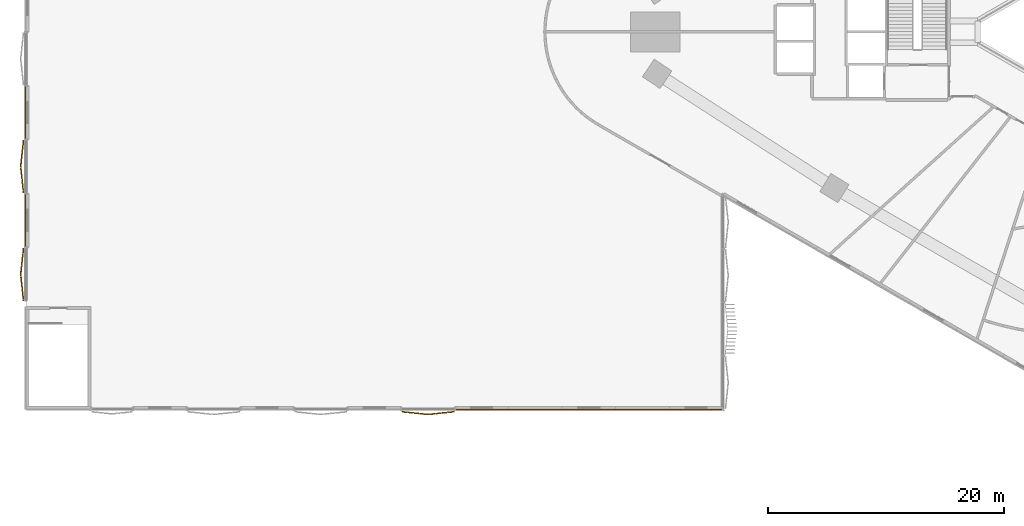
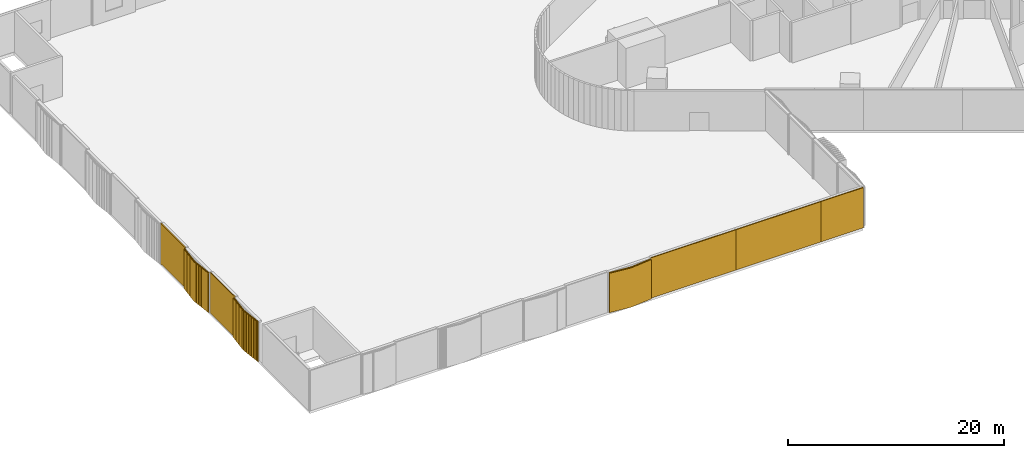
# One storey, part 19 of 24: 8 coverings.
"""IFC4 building model written with IfcOpenShell, lengths in metres."""

from ifc_helpers import new_model, si_unit, direction, frame, frame_2d, origin, origin_2d, place, context, subcontext, project, spatial, rectangle, extrude, source, transform, mapped, material, layer, layer_set, type_object, element, save


model = new_model("IFC4")

# Units and contexts
model_context = context("Model", 3, precision=1e-05, world=origin(), true_north=direction((0.0, 1.0)))
body_context = subcontext(model_context, "Body", "Model", "MODEL_VIEW")
ifc_project = project(units=[si_unit("LENGTHUNIT", "METRE"), si_unit("AREAUNIT", "SQUARE_METRE"), si_unit("VOLUMEUNIT", "CUBIC_METRE"), si_unit("PLANEANGLEUNIT", "RADIAN"), si_unit("MASSUNIT", "GRAM", prefix="KILO")], contexts=[model_context])

# Site, building, storey
site_placement = place(None, origin())
site = spatial("IfcSite", under=ifc_project, at=site_placement, CompositionType="ELEMENT")
building_placement = place(site_placement, origin())
building = spatial("IfcBuilding", under=site, at=building_placement, Name="Tamra Quay Hotel Tower", CompositionType="ELEMENT")
storey_placement = place(building_placement, frame((0.0, 0.0, 19.5)))
storey = spatial("IfcBuildingStorey", under=building, at=storey_placement, Name="L03", CompositionType="ELEMENT", Elevation=19.5)

# Coverings
ifc_material_1 = material(Name="Precast concrete M60 terracotta-coloured pierced relief", Category="masonry")
ifc_layer = layer(ifc_material_1, 0.10009765625)
ifc_layer_set = layer_set([ifc_layer], Name="PIERCED RELIEF PANEL 100")
covering_type_1 = type_object("IfcCoveringType", Name="PIERCED RELIEF PANEL 100", PredefinedType="CLADDING", material=ifc_layer_set)
for number, where, z_axis, x_axis, name in (
    (1, (-89.14990234375, -6.857177734375, 0.0), (0.0, 0.0, 1.0), (0.0, -1.0, 0.0), "Relief panel L03.W.06"),
    (2, (-89.14990234375, -16.0, 0.0), (0.0, 0.0, 1.0), (0.0, -1.0, 0.0), "Relief panel L03.W.08"),
):
    element("IfcCovering", number, at=place(storey_placement, frame(where, z_axis=z_axis, x_axis=x_axis)), inside=storey, type_object=covering_type_1, Name=name, PredefinedType="CLADDING", context=body_context, shape_type="SweptSolid", body=[
        extrude(rectangle(XDim=4.551513671875, YDim=0.10009765625, at=origin_2d()), origin(), (0.0, 0.0, 1.0), 4.550048828125),
    ])
for number, where, z_axis, x_axis, name in (
    (3, (-48.1845703125, -32.050048828125, 0.0), (0.0, 0.0, 1.0), (1.0, 0.0, 0.0), "Relief panel L03.SW.18"),
    (4, (-39.09228515625, -32.050048828125, 0.0), (0.0, 0.0, 1.0), (1.0, 0.0, 0.0), "Relief panel L03.SW.20"),
):
    element("IfcCovering", number, at=place(storey_placement, frame(where, z_axis=z_axis, x_axis=x_axis)), inside=storey, type_object=covering_type_1, Name=name, PredefinedType="CLADDING", context=body_context, shape_type="SweptSolid", body=[
        extrude(rectangle(XDim=9.072265625, YDim=0.10009765625, at=origin_2d()), origin(), (0.0, 0.0, 1.0), 4.550048828125),
    ])
covering_1_placement = place(storey_placement, frame((-32.273193359375, -32.050048828125, 0.0), z_axis=(0.0, 0.0, 1.0), x_axis=(1.0, 0.0, 0.0)))
element("IfcCovering", 5, at=covering_1_placement, inside=storey, type_object=covering_type_1, Name="Relief panel L03.SW.22", PredefinedType="CLADDING", context=body_context, shape_type="SweptSolid", body=[
    extrude(rectangle(XDim=4.526123046875, YDim=0.10009765625, at=origin_2d()), origin(), (0.0, 0.0, 1.0), 4.550048828125),
])
ifc_material_2 = material(Name="Terracotta baguette extruded", Category="masonry")
covering_type_2 = type_object("IfcCoveringType", Name="BAGUETTE SCREEN PODIUM-SHALLOW H4550", PredefinedType="USERDEFINED", material=ifc_material_2)
shared_shape_1 = source(origin(), body_context, "Body", "SweptSolid", [
    extrude(rectangle(XDim=2.244873046875, YDim=0.06005859375, at=frame_2d((1.12255859375, 0.030029296875))), frame((-2.23876953125, -0.0576171875, -0.1201171875), z_axis=(0.0, 0.0, 1.0), x_axis=(0.994521895368, -0.104528463268, 0.0)), (0.0, 0.0, 1.0), 0.1201171875),
    extrude(rectangle(XDim=2.244873046875, YDim=0.06005859375, at=frame_2d((1.12255859375, 0.030029296875))), frame((-2.23876953125, -0.0576171875, -4.550048828125), z_axis=(0.0, 0.0, 1.0), x_axis=(0.994521895368, -0.104528463268, 0.0)), (0.0, 0.0, 1.0), 0.1201171875),
    extrude(rectangle(XDim=0.094970703125, YDim=0.10009765625, at=frame_2d((0.04736328125, 0.050048828125))), frame((-2.229248046875, -0.13330078125, -4.489990234375)), (0.0, 0.0, 1.0), 4.429931640625),
    extrude(rectangle(XDim=0.094970703125, YDim=0.10009765625, at=frame_2d((0.04736328125, 0.050048828125))), frame((-2.127685546875, -0.14404296875, -4.489990234375)), (0.0, 0.0, 1.0), 4.429931640625),
    extrude(rectangle(XDim=0.094970703125, YDim=0.10009765625, at=frame_2d((0.04736328125, 0.050048828125))), frame((-2.0263671875, -0.154541015625, -4.489990234375)), (0.0, 0.0, 1.0), 4.429931640625),
    extrude(rectangle(XDim=0.094970703125, YDim=0.10009765625, at=frame_2d((0.04736328125, 0.050048828125))), frame((-1.9248046875, -0.165283203125, -4.489990234375)), (0.0, 0.0, 1.0), 4.429931640625),
    extrude(rectangle(XDim=0.094970703125, YDim=0.10009765625, at=frame_2d((0.04736328125, 0.050048828125))), frame((-1.8232421875, -0.176025390625, -4.489990234375)), (0.0, 0.0, 1.0), 4.429931640625),
    extrude(rectangle(XDim=0.094970703125, YDim=0.10009765625, at=frame_2d((0.04736328125, 0.050048828125))), frame((-1.721923828125, -0.186767578125, -4.489990234375)), (0.0, 0.0, 1.0), 4.429931640625),
    extrude(rectangle(XDim=0.094970703125, YDim=0.10009765625, at=frame_2d((0.04736328125, 0.050048828125))), frame((-1.620361328125, -0.197265625, -4.489990234375)), (0.0, 0.0, 1.0), 4.429931640625),
    extrude(rectangle(XDim=0.094970703125, YDim=0.10009765625, at=frame_2d((0.04736328125, 0.050048828125))), frame((-1.518798828125, -0.2080078125, -4.489990234375)), (0.0, 0.0, 1.0), 4.429931640625),
    extrude(rectangle(XDim=0.094970703125, YDim=0.10009765625, at=frame_2d((0.04736328125, 0.050048828125))), frame((-1.41748046875, -0.21875, -4.489990234375)), (0.0, 0.0, 1.0), 4.429931640625),
    extrude(rectangle(XDim=0.094970703125, YDim=0.10009765625, at=frame_2d((0.04736328125, 0.050048828125))), frame((-1.31591796875, -0.229248046875, -4.489990234375)), (0.0, 0.0, 1.0), 4.429931640625),
    extrude(rectangle(XDim=0.094970703125, YDim=0.10009765625, at=frame_2d((0.04736328125, 0.050048828125))), frame((-1.214599609375, -0.239990234375, -4.489990234375)), (0.0, 0.0, 1.0), 4.429931640625),
    extrude(rectangle(XDim=0.094970703125, YDim=0.10009765625, at=frame_2d((0.04736328125, 0.050048828125))), frame((-1.113037109375, -0.250732421875, -4.489990234375)), (0.0, 0.0, 1.0), 4.429931640625),
    extrude(rectangle(XDim=0.094970703125, YDim=0.10009765625, at=frame_2d((0.04736328125, 0.050048828125))), frame((-1.011474609375, -0.26123046875, -4.489990234375)), (0.0, 0.0, 1.0), 4.429931640625),
    extrude(rectangle(XDim=0.094970703125, YDim=0.10009765625, at=frame_2d((0.04736328125, 0.050048828125))), frame((-0.91015625, -0.27197265625, -4.489990234375)), (0.0, 0.0, 1.0), 4.429931640625),
    extrude(rectangle(XDim=0.094970703125, YDim=0.10009765625, at=frame_2d((0.04736328125, 0.050048828125))), frame((-0.80859375, -0.28271484375, -4.489990234375)), (0.0, 0.0, 1.0), 4.429931640625),
    extrude(rectangle(XDim=0.094970703125, YDim=0.10009765625, at=frame_2d((0.04736328125, 0.050048828125))), frame((-0.70703125, -0.293212890625, -4.489990234375)), (0.0, 0.0, 1.0), 4.429931640625),
    extrude(rectangle(XDim=0.094970703125, YDim=0.10009765625, at=frame_2d((0.04736328125, 0.050048828125))), frame((-0.605712890625, -0.303955078125, -4.489990234375)), (0.0, 0.0, 1.0), 4.429931640625),
    extrude(rectangle(XDim=0.094970703125, YDim=0.10009765625, at=frame_2d((0.04736328125, 0.050048828125))), frame((-0.504150390625, -0.314697265625, -4.489990234375)), (0.0, 0.0, 1.0), 4.429931640625),
    extrude(rectangle(XDim=0.094970703125, YDim=0.10009765625, at=frame_2d((0.04736328125, 0.050048828125))), frame((-0.402587890625, -0.325439453125, -4.489990234375)), (0.0, 0.0, 1.0), 4.429931640625),
    extrude(rectangle(XDim=0.094970703125, YDim=0.10009765625, at=frame_2d((0.04736328125, 0.050048828125))), frame((-0.30126953125, -0.3359375, -4.489990234375)), (0.0, 0.0, 1.0), 4.429931640625),
    extrude(rectangle(XDim=0.094970703125, YDim=0.10009765625, at=frame_2d((0.04736328125, 0.050048828125))), frame((-0.19970703125, -0.3466796875, -4.489990234375)), (0.0, 0.0, 1.0), 4.429931640625),
    extrude(rectangle(XDim=0.094970703125, YDim=0.10009765625, at=frame_2d((0.04736328125, 0.050048828125))), frame((-0.09814453125, -0.357421875, -4.489990234375)), (0.0, 0.0, 1.0), 4.429931640625),
    extrude(rectangle(XDim=2.244873046875, YDim=0.06005859375, at=frame_2d((1.12255859375, 0.030029296875))), frame((0.00634765625, -0.292236328125, -0.1201171875), z_axis=(0.0, 0.0, 1.0), x_axis=(0.994521895368, 0.104528463268, 0.0)), (0.0, 0.0, 1.0), 0.1201171875),
    extrude(rectangle(XDim=2.244873046875, YDim=0.06005859375, at=frame_2d((1.12255859375, 0.030029296875))), frame((0.00634765625, -0.292236328125, -4.550048828125), z_axis=(0.0, 0.0, 1.0), x_axis=(0.994521895368, 0.104528463268, 0.0)), (0.0, 0.0, 1.0), 0.1201171875),
    extrude(rectangle(XDim=0.094970703125, YDim=0.10009765625, at=frame_2d((0.04736328125, 0.050048828125))), frame((0.003173828125, -0.357421875, -4.489990234375)), (0.0, 0.0, 1.0), 4.429931640625),
    extrude(rectangle(XDim=0.094970703125, YDim=0.10009765625, at=frame_2d((0.04736328125, 0.050048828125))), frame((0.104736328125, -0.3466796875, -4.489990234375)), (0.0, 0.0, 1.0), 4.429931640625),
    extrude(rectangle(XDim=0.094970703125, YDim=0.10009765625, at=frame_2d((0.04736328125, 0.050048828125))), frame((0.206298828125, -0.3359375, -4.489990234375)), (0.0, 0.0, 1.0), 4.429931640625),
    extrude(rectangle(XDim=0.094970703125, YDim=0.10009765625, at=frame_2d((0.04736328125, 0.050048828125))), frame((0.3076171875, -0.325439453125, -4.489990234375)), (0.0, 0.0, 1.0), 4.429931640625),
    extrude(rectangle(XDim=0.094970703125, YDim=0.10009765625, at=frame_2d((0.04736328125, 0.050048828125))), frame((0.4091796875, -0.314697265625, -4.489990234375)), (0.0, 0.0, 1.0), 4.429931640625),
    extrude(rectangle(XDim=0.094970703125, YDim=0.10009765625, at=frame_2d((0.04736328125, 0.050048828125))), frame((0.510498046875, -0.303955078125, -4.489990234375)), (0.0, 0.0, 1.0), 4.429931640625),
    extrude(rectangle(XDim=0.094970703125, YDim=0.10009765625, at=frame_2d((0.04736328125, 0.050048828125))), frame((0.612060546875, -0.293212890625, -4.489990234375)), (0.0, 0.0, 1.0), 4.429931640625),
    extrude(rectangle(XDim=0.094970703125, YDim=0.10009765625, at=frame_2d((0.04736328125, 0.050048828125))), frame((0.713623046875, -0.28271484375, -4.489990234375)), (0.0, 0.0, 1.0), 4.429931640625),
    extrude(rectangle(XDim=0.094970703125, YDim=0.10009765625, at=frame_2d((0.04736328125, 0.050048828125))), frame((0.81494140625, -0.27197265625, -4.489990234375)), (0.0, 0.0, 1.0), 4.429931640625),
    extrude(rectangle(XDim=0.094970703125, YDim=0.10009765625, at=frame_2d((0.04736328125, 0.050048828125))), frame((0.91650390625, -0.26123046875, -4.489990234375)), (0.0, 0.0, 1.0), 4.429931640625),
    extrude(rectangle(XDim=0.094970703125, YDim=0.10009765625, at=frame_2d((0.04736328125, 0.050048828125))), frame((1.01806640625, -0.250732421875, -4.489990234375)), (0.0, 0.0, 1.0), 4.429931640625),
    extrude(rectangle(XDim=0.094970703125, YDim=0.10009765625, at=frame_2d((0.04736328125, 0.050048828125))), frame((1.119384765625, -0.239990234375, -4.489990234375)), (0.0, 0.0, 1.0), 4.429931640625),
    extrude(rectangle(XDim=0.094970703125, YDim=0.10009765625, at=frame_2d((0.04736328125, 0.050048828125))), frame((1.220947265625, -0.229248046875, -4.489990234375)), (0.0, 0.0, 1.0), 4.429931640625),
    extrude(rectangle(XDim=0.094970703125, YDim=0.10009765625, at=frame_2d((0.04736328125, 0.050048828125))), frame((1.322509765625, -0.21875, -4.489990234375)), (0.0, 0.0, 1.0), 4.429931640625),
    extrude(rectangle(XDim=0.094970703125, YDim=0.10009765625, at=frame_2d((0.04736328125, 0.050048828125))), frame((1.423828125, -0.2080078125, -4.489990234375)), (0.0, 0.0, 1.0), 4.429931640625),
    extrude(rectangle(XDim=0.094970703125, YDim=0.10009765625, at=frame_2d((0.04736328125, 0.050048828125))), frame((1.525390625, -0.197265625, -4.489990234375)), (0.0, 0.0, 1.0), 4.429931640625),
    extrude(rectangle(XDim=0.094970703125, YDim=0.10009765625, at=frame_2d((0.04736328125, 0.050048828125))), frame((1.626953125, -0.186767578125, -4.489990234375)), (0.0, 0.0, 1.0), 4.429931640625),
    extrude(rectangle(XDim=0.094970703125, YDim=0.10009765625, at=frame_2d((0.04736328125, 0.050048828125))), frame((1.728271484375, -0.176025390625, -4.489990234375)), (0.0, 0.0, 1.0), 4.429931640625),
    extrude(rectangle(XDim=0.094970703125, YDim=0.10009765625, at=frame_2d((0.04736328125, 0.050048828125))), frame((1.829833984375, -0.165283203125, -4.489990234375)), (0.0, 0.0, 1.0), 4.429931640625),
    extrude(rectangle(XDim=0.094970703125, YDim=0.10009765625, at=frame_2d((0.04736328125, 0.050048828125))), frame((1.931396484375, -0.154541015625, -4.489990234375)), (0.0, 0.0, 1.0), 4.429931640625),
    extrude(rectangle(XDim=0.094970703125, YDim=0.10009765625, at=frame_2d((0.04736328125, 0.050048828125))), frame((2.03271484375, -0.14404296875, -4.489990234375)), (0.0, 0.0, 1.0), 4.429931640625),
    extrude(rectangle(XDim=0.094970703125, YDim=0.10009765625, at=frame_2d((0.04736328125, 0.050048828125))), frame((2.13427734375, -0.13330078125, -4.489990234375)), (0.0, 0.0, 1.0), 4.429931640625),
])
covering_2_placement = place(storey_placement, frame((-55.00390625, -32.14794921875, 4.550048828125), z_axis=(0.0, 0.0, 1.0), x_axis=(1.0, 0.0, 0.0)))
element("IfcCovering", 6, at=covering_2_placement, inside=storey, type_object=covering_type_2, Name="Baguette screen L03.SW.f03", ObjectType="BAGUETTE SCREEN", PredefinedType="USERDEFINED", context=body_context, shape_type="MappedRepresentation", body=[
    mapped(shared_shape_1, transform((0.0, 0.0, 0.0), scale=1.0)),
])
shared_shape_2 = source(origin(), body_context, "Body", "SweptSolid", [
    extrude(rectangle(XDim=2.2548828125, YDim=0.06005859375, at=frame_2d((1.12744140625, 0.030029296875))), frame((-2.248779296875, -0.0576171875, -0.1201171875), z_axis=(0.0, 0.0, 1.0), x_axis=(0.994521895368, -0.104528463268, 0.0)), (0.0, 0.0, 1.0), 0.1201171875),
    extrude(rectangle(XDim=2.2548828125, YDim=0.06005859375, at=frame_2d((1.12744140625, 0.030029296875))), frame((-2.248779296875, -0.0576171875, -4.550048828125), z_axis=(0.0, 0.0, 1.0), x_axis=(0.994521895368, -0.104528463268, 0.0)), (0.0, 0.0, 1.0), 0.1201171875),
    extrude(rectangle(XDim=0.094970703125, YDim=0.10009765625, at=frame_2d((0.04736328125, 0.050048828125))), frame((-2.2412109375, -0.133056640625, -4.489990234375)), (0.0, 0.0, 1.0), 4.429931640625),
    extrude(rectangle(XDim=0.094970703125, YDim=0.10009765625, at=frame_2d((0.04736328125, 0.050048828125))), frame((-2.143798828125, -0.143310546875, -4.489990234375)), (0.0, 0.0, 1.0), 4.429931640625),
    extrude(rectangle(XDim=0.094970703125, YDim=0.10009765625, at=frame_2d((0.04736328125, 0.050048828125))), frame((-2.046142578125, -0.153564453125, -4.489990234375)), (0.0, 0.0, 1.0), 4.429931640625),
    extrude(rectangle(XDim=0.094970703125, YDim=0.10009765625, at=frame_2d((0.04736328125, 0.050048828125))), frame((-1.94873046875, -0.163818359375, -4.489990234375)), (0.0, 0.0, 1.0), 4.429931640625),
    extrude(rectangle(XDim=0.094970703125, YDim=0.10009765625, at=frame_2d((0.04736328125, 0.050048828125))), frame((-1.851318359375, -0.174072265625, -4.489990234375)), (0.0, 0.0, 1.0), 4.429931640625),
    extrude(rectangle(XDim=0.094970703125, YDim=0.10009765625, at=frame_2d((0.04736328125, 0.050048828125))), frame((-1.753662109375, -0.184326171875, -4.489990234375)), (0.0, 0.0, 1.0), 4.429931640625),
    extrude(rectangle(XDim=0.094970703125, YDim=0.10009765625, at=frame_2d((0.04736328125, 0.050048828125))), frame((-1.65625, -0.194580078125, -4.489990234375)), (0.0, 0.0, 1.0), 4.429931640625),
    extrude(rectangle(XDim=0.094970703125, YDim=0.10009765625, at=frame_2d((0.04736328125, 0.050048828125))), frame((-1.558837890625, -0.204833984375, -4.489990234375)), (0.0, 0.0, 1.0), 4.429931640625),
    extrude(rectangle(XDim=0.094970703125, YDim=0.10009765625, at=frame_2d((0.04736328125, 0.050048828125))), frame((-1.461181640625, -0.215087890625, -4.489990234375)), (0.0, 0.0, 1.0), 4.429931640625),
    extrude(rectangle(XDim=0.094970703125, YDim=0.10009765625, at=frame_2d((0.04736328125, 0.050048828125))), frame((-1.36376953125, -0.225341796875, -4.489990234375)), (0.0, 0.0, 1.0), 4.429931640625),
    extrude(rectangle(XDim=0.094970703125, YDim=0.10009765625, at=frame_2d((0.04736328125, 0.050048828125))), frame((-1.266357421875, -0.235595703125, -4.489990234375)), (0.0, 0.0, 1.0), 4.429931640625),
    extrude(rectangle(XDim=0.094970703125, YDim=0.10009765625, at=frame_2d((0.04736328125, 0.050048828125))), frame((-1.168701171875, -0.245849609375, -4.489990234375)), (0.0, 0.0, 1.0), 4.429931640625),
    extrude(rectangle(XDim=0.094970703125, YDim=0.10009765625, at=frame_2d((0.04736328125, 0.050048828125))), frame((-1.0712890625, -0.256103515625, -4.489990234375)), (0.0, 0.0, 1.0), 4.429931640625),
    extrude(rectangle(XDim=0.094970703125, YDim=0.10009765625, at=frame_2d((0.04736328125, 0.050048828125))), frame((-0.9736328125, -0.266357421875, -4.489990234375)), (0.0, 0.0, 1.0), 4.429931640625),
    extrude(rectangle(XDim=0.094970703125, YDim=0.10009765625, at=frame_2d((0.04736328125, 0.050048828125))), frame((-0.876220703125, -0.276611328125, -4.489990234375)), (0.0, 0.0, 1.0), 4.429931640625),
    extrude(rectangle(XDim=0.094970703125, YDim=0.10009765625, at=frame_2d((0.04736328125, 0.050048828125))), frame((-0.77880859375, -0.286865234375, -4.489990234375)), (0.0, 0.0, 1.0), 4.429931640625),
    extrude(rectangle(XDim=0.094970703125, YDim=0.10009765625, at=frame_2d((0.04736328125, 0.050048828125))), frame((-0.68115234375, -0.297119140625, -4.489990234375)), (0.0, 0.0, 1.0), 4.429931640625),
    extrude(rectangle(XDim=0.094970703125, YDim=0.10009765625, at=frame_2d((0.04736328125, 0.050048828125))), frame((-0.583740234375, -0.307373046875, -4.489990234375)), (0.0, 0.0, 1.0), 4.429931640625),
    extrude(rectangle(XDim=0.094970703125, YDim=0.10009765625, at=frame_2d((0.04736328125, 0.050048828125))), frame((-0.486328125, -0.317626953125, -4.489990234375)), (0.0, 0.0, 1.0), 4.429931640625),
    extrude(rectangle(XDim=0.094970703125, YDim=0.10009765625, at=frame_2d((0.04736328125, 0.050048828125))), frame((-0.388671875, -0.327880859375, -4.489990234375)), (0.0, 0.0, 1.0), 4.429931640625),
    extrude(rectangle(XDim=0.094970703125, YDim=0.10009765625, at=frame_2d((0.04736328125, 0.050048828125))), frame((-0.291259765625, -0.338134765625, -4.489990234375)), (0.0, 0.0, 1.0), 4.429931640625),
    extrude(rectangle(XDim=0.094970703125, YDim=0.10009765625, at=frame_2d((0.04736328125, 0.050048828125))), frame((-0.19384765625, -0.348388671875, -4.489990234375)), (0.0, 0.0, 1.0), 4.429931640625),
    extrude(rectangle(XDim=0.094970703125, YDim=0.10009765625, at=frame_2d((0.04736328125, 0.050048828125))), frame((-0.09619140625, -0.358642578125, -4.489990234375)), (0.0, 0.0, 1.0), 4.429931640625),
    extrude(rectangle(XDim=2.2548828125, YDim=0.06005859375, at=frame_2d((1.12744140625, 0.030029296875))), frame((0.00634765625, -0.29345703125, -0.1201171875), z_axis=(0.0, 0.0, 1.0), x_axis=(0.994521895368, 0.104528463268, 0.0)), (0.0, 0.0, 1.0), 0.1201171875),
    extrude(rectangle(XDim=2.2548828125, YDim=0.06005859375, at=frame_2d((1.12744140625, 0.030029296875))), frame((0.00634765625, -0.29345703125, -4.550048828125), z_axis=(0.0, 0.0, 1.0), x_axis=(0.994521895368, 0.104528463268, 0.0)), (0.0, 0.0, 1.0), 0.1201171875),
    extrude(rectangle(XDim=0.094970703125, YDim=0.10009765625, at=frame_2d((0.04736328125, 0.050048828125))), frame((0.001220703125, -0.358642578125, -4.489990234375)), (0.0, 0.0, 1.0), 4.429931640625),
    extrude(rectangle(XDim=0.094970703125, YDim=0.10009765625, at=frame_2d((0.04736328125, 0.050048828125))), frame((0.0986328125, -0.348388671875, -4.489990234375)), (0.0, 0.0, 1.0), 4.429931640625),
    extrude(rectangle(XDim=0.094970703125, YDim=0.10009765625, at=frame_2d((0.04736328125, 0.050048828125))), frame((0.1962890625, -0.338134765625, -4.489990234375)), (0.0, 0.0, 1.0), 4.429931640625),
    extrude(rectangle(XDim=0.094970703125, YDim=0.10009765625, at=frame_2d((0.04736328125, 0.050048828125))), frame((0.293701171875, -0.327880859375, -4.489990234375)), (0.0, 0.0, 1.0), 4.429931640625),
    extrude(rectangle(XDim=0.094970703125, YDim=0.10009765625, at=frame_2d((0.04736328125, 0.050048828125))), frame((0.391357421875, -0.317626953125, -4.489990234375)), (0.0, 0.0, 1.0), 4.429931640625),
    extrude(rectangle(XDim=0.094970703125, YDim=0.10009765625, at=frame_2d((0.04736328125, 0.050048828125))), frame((0.48876953125, -0.307373046875, -4.489990234375)), (0.0, 0.0, 1.0), 4.429931640625),
    extrude(rectangle(XDim=0.094970703125, YDim=0.10009765625, at=frame_2d((0.04736328125, 0.050048828125))), frame((0.586181640625, -0.297119140625, -4.489990234375)), (0.0, 0.0, 1.0), 4.429931640625),
    extrude(rectangle(XDim=0.094970703125, YDim=0.10009765625, at=frame_2d((0.04736328125, 0.050048828125))), frame((0.683837890625, -0.286865234375, -4.489990234375)), (0.0, 0.0, 1.0), 4.429931640625),
    extrude(rectangle(XDim=0.094970703125, YDim=0.10009765625, at=frame_2d((0.04736328125, 0.050048828125))), frame((0.78125, -0.276611328125, -4.489990234375)), (0.0, 0.0, 1.0), 4.429931640625),
    extrude(rectangle(XDim=0.094970703125, YDim=0.10009765625, at=frame_2d((0.04736328125, 0.050048828125))), frame((0.878662109375, -0.266357421875, -4.489990234375)), (0.0, 0.0, 1.0), 4.429931640625),
    extrude(rectangle(XDim=0.094970703125, YDim=0.10009765625, at=frame_2d((0.04736328125, 0.050048828125))), frame((0.976318359375, -0.256103515625, -4.489990234375)), (0.0, 0.0, 1.0), 4.429931640625),
    extrude(rectangle(XDim=0.094970703125, YDim=0.10009765625, at=frame_2d((0.04736328125, 0.050048828125))), frame((1.07373046875, -0.245849609375, -4.489990234375)), (0.0, 0.0, 1.0), 4.429931640625),
    extrude(rectangle(XDim=0.094970703125, YDim=0.10009765625, at=frame_2d((0.04736328125, 0.050048828125))), frame((1.171142578125, -0.235595703125, -4.489990234375)), (0.0, 0.0, 1.0), 4.429931640625),
    extrude(rectangle(XDim=0.094970703125, YDim=0.10009765625, at=frame_2d((0.04736328125, 0.050048828125))), frame((1.268798828125, -0.225341796875, -4.489990234375)), (0.0, 0.0, 1.0), 4.429931640625),
    extrude(rectangle(XDim=0.094970703125, YDim=0.10009765625, at=frame_2d((0.04736328125, 0.050048828125))), frame((1.3662109375, -0.215087890625, -4.489990234375)), (0.0, 0.0, 1.0), 4.429931640625),
    extrude(rectangle(XDim=0.094970703125, YDim=0.10009765625, at=frame_2d((0.04736328125, 0.050048828125))), frame((1.4638671875, -0.204833984375, -4.489990234375)), (0.0, 0.0, 1.0), 4.429931640625),
    extrude(rectangle(XDim=0.094970703125, YDim=0.10009765625, at=frame_2d((0.04736328125, 0.050048828125))), frame((1.561279296875, -0.194580078125, -4.489990234375)), (0.0, 0.0, 1.0), 4.429931640625),
    extrude(rectangle(XDim=0.094970703125, YDim=0.10009765625, at=frame_2d((0.04736328125, 0.050048828125))), frame((1.65869140625, -0.184326171875, -4.489990234375)), (0.0, 0.0, 1.0), 4.429931640625),
    extrude(rectangle(XDim=0.094970703125, YDim=0.10009765625, at=frame_2d((0.04736328125, 0.050048828125))), frame((1.75634765625, -0.174072265625, -4.489990234375)), (0.0, 0.0, 1.0), 4.429931640625),
    extrude(rectangle(XDim=0.094970703125, YDim=0.10009765625, at=frame_2d((0.04736328125, 0.050048828125))), frame((1.853759765625, -0.163818359375, -4.489990234375)), (0.0, 0.0, 1.0), 4.429931640625),
    extrude(rectangle(XDim=0.094970703125, YDim=0.10009765625, at=frame_2d((0.04736328125, 0.050048828125))), frame((1.951171875, -0.153564453125, -4.489990234375)), (0.0, 0.0, 1.0), 4.429931640625),
    extrude(rectangle(XDim=0.094970703125, YDim=0.10009765625, at=frame_2d((0.04736328125, 0.050048828125))), frame((2.048828125, -0.143310546875, -4.489990234375)), (0.0, 0.0, 1.0), 4.429931640625),
    extrude(rectangle(XDim=0.094970703125, YDim=0.10009765625, at=frame_2d((0.04736328125, 0.050048828125))), frame((2.146240234375, -0.133056640625, -4.489990234375)), (0.0, 0.0, 1.0), 4.429931640625),
])
for number, where, z_axis, x_axis, name in (
    (7, (-89.248046875, -11.428466796875, 4.550048828125), (0.0, 0.0, 1.0), (0.0, -1.0, 0.0), "Baguette screen L03.W.f03"),
    (8, (-89.248046875, -20.571533203125, 4.550048828125), (0.0, 0.0, 1.0), (0.0, -1.0, 0.0), "Baguette screen L03.W.f04"),
):
    element("IfcCovering", number, at=place(storey_placement, frame(where, z_axis=z_axis, x_axis=x_axis)), inside=storey, type_object=covering_type_2, Name=name, ObjectType="BAGUETTE SCREEN", PredefinedType="USERDEFINED", context=body_context, shape_type="MappedRepresentation", body=[
        mapped(shared_shape_2, transform((0.0, 0.0, 0.0), scale=1.0)),
    ])

save(model, "model.ifc")
